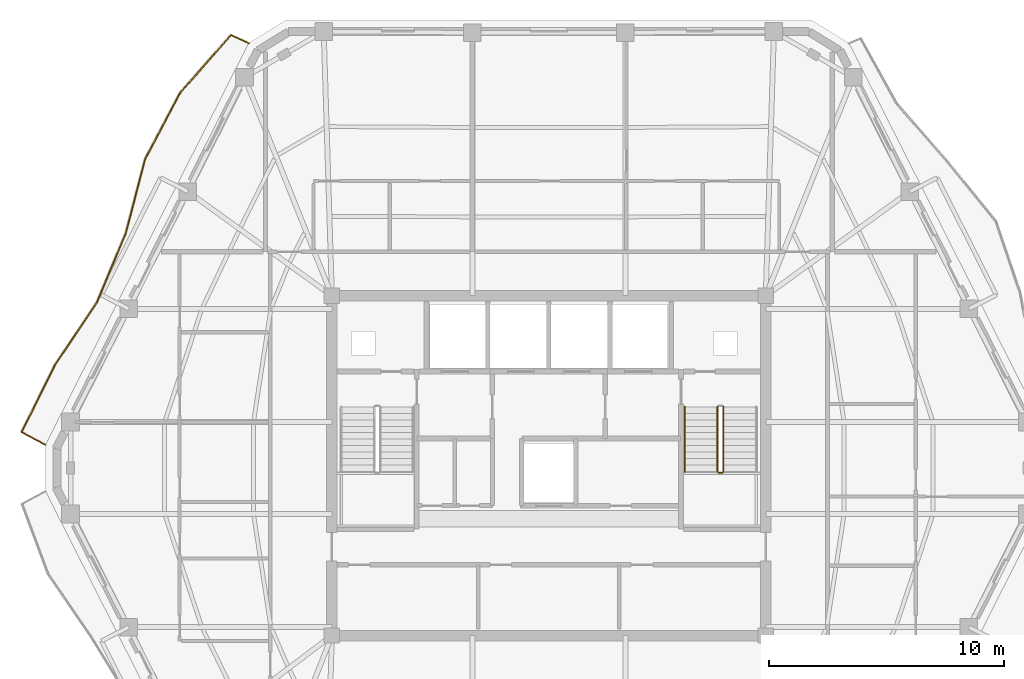
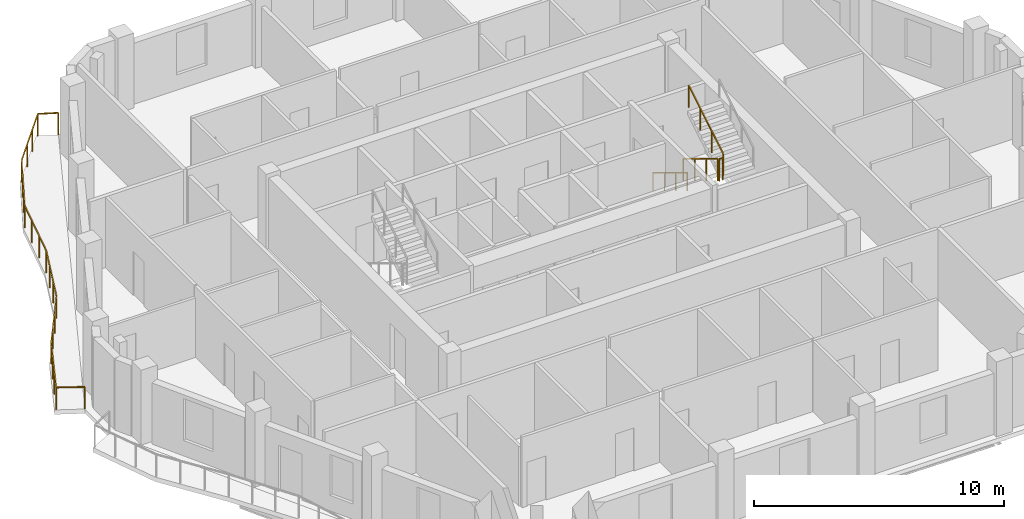
# One storey, part 10 of 12: 5 railings.
"""IFC4 building model written with IfcOpenShell, lengths in metres."""

from ifc_helpers import new_model, si_unit, direction, frame, origin, origin_2d, place, context, subcontext, project, spatial, rectangle, extrude, material, type_object, element, save


model = new_model("IFC4")

# Units and contexts
model_context = context("Model", 3, precision=1e-05, world=origin(), true_north=direction((0.0, 1.0)))
body_context = subcontext(model_context, "Body", "Model", "MODEL_VIEW")
ifc_project = project(units=[si_unit("LENGTHUNIT", "METRE"), si_unit("AREAUNIT", "SQUARE_METRE"), si_unit("VOLUMEUNIT", "CUBIC_METRE"), si_unit("PLANEANGLEUNIT", "RADIAN"), si_unit("MASSUNIT", "GRAM", prefix="KILO")], contexts=[model_context])

# Site, building, storey
site_placement = place(None, origin())
site = spatial("IfcSite", under=ifc_project, at=site_placement, CompositionType="ELEMENT")
building_placement = place(site_placement, origin())
building = spatial("IfcBuilding", under=site, at=building_placement, Name="Cinnabar Lancet Tower", CompositionType="ELEMENT")
storey_placement = place(building_placement, frame((0.0, 0.0, 237.949951171875)))
storey = spatial("IfcBuildingStorey", under=building, at=storey_placement, Name="L63", CompositionType="ELEMENT", Elevation=237.949951171875)

# Railings
ifc_material_1 = material(Name="Laminated safety glass and bronze stainless steel balustrade", Category="steel")
railing_type_1 = type_object("IfcRailingType", Name="ENV-RLG-BAL-1100", PredefinedType="BALUSTRADE", material=ifc_material_1)
railing_1_placement = place(storey_placement, frame((19.638916015625, 43.867919921875, 0.0)))
element("IfcRailing", 1, at=railing_1_placement, inside=storey, type_object=railing_type_1, Name="L63 Face 5 Wave Balcony Balustrade", PredefinedType="BALUSTRADE", context=body_context, shape_type="SweptSolid", body=[
    extrude(rectangle(XDim=0.048095703125, YDim=0.048095703125, at=origin_2d()), frame((0.0, 0.0, 1.076171875), z_axis=(-0.90895271953, 0.416899212831, 0.0), x_axis=(-0.416899212831, -0.90895271953, 0.0)), (0.0, 0.0, 1.0), 0.8251953125),
    extrude(rectangle(XDim=0.048095703125, YDim=0.048095703125, at=origin_2d()), frame((-0.75, 0.343994140625, 1.076171875), z_axis=(-0.660463788362, -0.750857898848, 0.0), x_axis=(0.750857898848, -0.660463788362, 0.0)), (0.0, 0.0, 1.0), 3.286865234375),
    extrude(rectangle(XDim=0.048095703125, YDim=0.048095703125, at=origin_2d()), frame((-2.9208984375, -2.1240234375, 1.076171875), z_axis=(-0.466988621905, -0.884263324475, 0.0), x_axis=(0.884263324475, -0.466988621905, 0.0)), (0.0, 0.0, 1.0), 3.182373046875),
    extrude(rectangle(XDim=0.048095703125, YDim=0.048095703125, at=origin_2d()), frame((-4.406982421875, -4.93798828125, 1.076171875), z_axis=(-0.251878344835, -0.967758905618, 0.0), x_axis=(0.967758905618, -0.251878344835, 0.0)), (0.0, 0.0, 1.0), 3.2548828125),
    extrude(rectangle(XDim=0.048095703125, YDim=0.048095703125, at=origin_2d()), frame((-5.226806640625, -8.087890625, 1.076171875), z_axis=(-0.385077391249, -0.922884284593, 0.0), x_axis=(0.922884284593, -0.385077391249, 0.0)), (0.0, 0.0, 1.0), 3.18896484375),
    extrude(rectangle(XDim=0.048095703125, YDim=0.048095703125, at=origin_2d()), frame((-6.454833984375, -11.031005859375, 1.076171875), z_axis=(-0.556562766759, -0.830805564893, 0.0), x_axis=(0.830805564893, -0.556562766759, 0.0)), (0.0, 0.0, 1.0), 3.203857421875),
    extrude(rectangle(XDim=0.048095703125, YDim=0.048095703125, at=origin_2d()), frame((-8.238037109375, -13.69287109375, 1.076171875), z_axis=(-0.445433431075, -0.895315061015, 0.0), x_axis=(0.895315061015, -0.445433431075, 0.0)), (0.0, 0.0, 1.0), 3.183349609375),
    extrude(rectangle(XDim=0.048095703125, YDim=0.048095703125, at=origin_2d()), frame((-9.656005859375, -16.54296875, 1.076171875), z_axis=(0.881599833203, -0.471997599673, 0.0), x_axis=(0.471997599673, 0.881599833203, 0.0)), (0.0, 0.0, 1.0), 1.150390625),
    extrude(rectangle(XDim=0.0419921875, YDim=0.0419921875, at=origin_2d()), origin(), (0.0, 0.0, 1.0), 1.052001953125),
    extrude(rectangle(XDim=0.0419921875, YDim=0.0419921875, at=origin_2d()), frame((-0.75, 0.343994140625, 0.0)), (0.0, 0.0, 1.0), 1.052001953125),
    extrude(rectangle(XDim=0.0419921875, YDim=0.0419921875, at=origin_2d()), frame((-1.4736328125, -0.478759765625, 0.0)), (0.0, 0.0, 1.0), 1.052001953125),
    extrude(rectangle(XDim=0.0419921875, YDim=0.0419921875, at=origin_2d()), frame((-2.197265625, -1.30126953125, 0.0)), (0.0, 0.0, 1.0), 1.052001953125),
    extrude(rectangle(XDim=0.0419921875, YDim=0.0419921875, at=origin_2d()), frame((-2.9208984375, -2.1240234375, 0.0)), (0.0, 0.0, 1.0), 1.052001953125),
    extrude(rectangle(XDim=0.0419921875, YDim=0.0419921875, at=origin_2d()), frame((-3.416259765625, -3.06201171875, 0.0)), (0.0, 0.0, 1.0), 1.052001953125),
    extrude(rectangle(XDim=0.0419921875, YDim=0.0419921875, at=origin_2d()), frame((-3.91162109375, -4.0, 0.0)), (0.0, 0.0, 1.0), 1.052001953125),
    extrude(rectangle(XDim=0.0419921875, YDim=0.0419921875, at=origin_2d()), frame((-4.406982421875, -4.93798828125, 0.0)), (0.0, 0.0, 1.0), 1.052001953125),
    extrude(rectangle(XDim=0.0419921875, YDim=0.0419921875, at=origin_2d()), frame((-4.68017578125, -5.988037109375, 0.0)), (0.0, 0.0, 1.0), 1.052001953125),
    extrude(rectangle(XDim=0.0419921875, YDim=0.0419921875, at=origin_2d()), frame((-4.95361328125, -7.037841796875, 0.0)), (0.0, 0.0, 1.0), 1.052001953125),
    extrude(rectangle(XDim=0.0419921875, YDim=0.0419921875, at=origin_2d()), frame((-5.226806640625, -8.087890625, 0.0)), (0.0, 0.0, 1.0), 1.052001953125),
    extrude(rectangle(XDim=0.0419921875, YDim=0.0419921875, at=origin_2d()), frame((-5.63623046875, -9.06884765625, 0.0)), (0.0, 0.0, 1.0), 1.052001953125),
    extrude(rectangle(XDim=0.0419921875, YDim=0.0419921875, at=origin_2d()), frame((-6.04541015625, -10.050048828125, 0.0)), (0.0, 0.0, 1.0), 1.052001953125),
    extrude(rectangle(XDim=0.0419921875, YDim=0.0419921875, at=origin_2d()), frame((-6.454833984375, -11.031005859375, 0.0)), (0.0, 0.0, 1.0), 1.052001953125),
    extrude(rectangle(XDim=0.0419921875, YDim=0.0419921875, at=origin_2d()), frame((-7.04931640625, -11.918212890625, 0.0)), (0.0, 0.0, 1.0), 1.052001953125),
    extrude(rectangle(XDim=0.0419921875, YDim=0.0419921875, at=origin_2d()), frame((-7.6435546875, -12.8056640625, 0.0)), (0.0, 0.0, 1.0), 1.052001953125),
    extrude(rectangle(XDim=0.0419921875, YDim=0.0419921875, at=origin_2d()), frame((-8.238037109375, -13.69287109375, 0.0)), (0.0, 0.0, 1.0), 1.052001953125),
    extrude(rectangle(XDim=0.0419921875, YDim=0.0419921875, at=origin_2d()), frame((-8.710693359375, -14.642822265625, 0.0)), (0.0, 0.0, 1.0), 1.052001953125),
    extrude(rectangle(XDim=0.0419921875, YDim=0.0419921875, at=origin_2d()), frame((-9.183349609375, -15.593017578125, 0.0)), (0.0, 0.0, 1.0), 1.052001953125),
    extrude(rectangle(XDim=0.0419921875, YDim=0.0419921875, at=origin_2d()), frame((-9.656005859375, -16.54296875, 0.0)), (0.0, 0.0, 1.0), 1.052001953125),
    extrude(rectangle(XDim=0.0419921875, YDim=0.0419921875, at=origin_2d()), frame((-8.641845703125, -17.0859375, 0.0)), (0.0, 0.0, 1.0), 1.052001953125),
])
ifc_material_2 = material(Name="Painted galvanized steel balustrade", Category="steel")
railing_type_2 = type_object("IfcRailingType", Name="GUARD-STAIR", PredefinedType="GUARDRAIL", material=ifc_material_2)
railing_2_placement = place(storey_placement, frame((39.574951171875, 28.39990234375, 0.166015625)))
element("IfcRailing", 2, at=railing_2_placement, inside=storey, type_object=railing_type_2, Name="L63 ST-2 stair guard 1", PredefinedType="GUARDRAIL", context=body_context, shape_type="SweptSolid", body=[
    extrude(rectangle(XDim=0.048095703125, YDim=0.048095703125, at=origin_2d()), frame((0.0, 0.0, 1.076171875), z_axis=(0.0, -0.856263023582, 0.516540060834), x_axis=(1.0, 0.0, 0.0)), (0.0, 0.0, 1.0), 3.211669921875),
    extrude(rectangle(XDim=0.0419921875, YDim=0.0419921875, at=origin_2d()), origin(), (0.0, 0.0, 1.0), 1.052001953125),
    extrude(rectangle(XDim=0.0419921875, YDim=0.0419921875, at=origin_2d()), frame((0.0, -0.916748046875, 0.552978515625)), (0.0, 0.0, 1.0), 1.052001953125),
    extrude(rectangle(XDim=0.0419921875, YDim=0.0419921875, at=origin_2d()), frame((0.0, -1.833251953125, 1.10595703125)), (0.0, 0.0, 1.0), 1.052001953125),
    extrude(rectangle(XDim=0.0419921875, YDim=0.0419921875, at=origin_2d()), frame((0.0, -2.75, 1.658935546875)), (0.0, 0.0, 1.0), 1.052001953125),
])
railing_3_placement = place(storey_placement, frame((39.625, 25.60009765625, 1.824951171875)))
element("IfcRailing", 3, at=railing_3_placement, inside=storey, type_object=railing_type_2, Name="L63 ST-2 stair guard 2", PredefinedType="GUARDRAIL", context=body_context, shape_type="SweptSolid", body=[
    extrude(rectangle(XDim=0.048095703125, YDim=0.048095703125, at=origin_2d()), frame((0.0, 0.0, 1.076171875), z_axis=(1.0, 0.0, 0.0), x_axis=(0.0, 1.0, 0.0)), (0.0, 0.0, 1.0), 0.14990234375),
    extrude(rectangle(XDim=0.0419921875, YDim=0.0419921875, at=origin_2d()), origin(), (0.0, 0.0, 1.0), 1.052001953125),
    extrude(rectangle(XDim=0.0419921875, YDim=0.0419921875, at=origin_2d()), frame((0.14990234375, 0.0, 0.0)), (0.0, 0.0, 1.0), 1.052001953125),
])
railing_4_placement = place(storey_placement, frame((39.824951171875, 25.64990234375, 1.990966796875)))
element("IfcRailing", 4, at=railing_4_placement, inside=storey, type_object=railing_type_2, Name="L63 ST-2 stair guard 3", PredefinedType="GUARDRAIL", context=body_context, shape_type="SweptSolid", body=[
    extrude(rectangle(XDim=0.048095703125, YDim=0.048095703125, at=origin_2d()), frame((0.0, 0.0, 1.076171875), z_axis=(0.0, 0.856229400918, 0.51659579267), x_axis=(-1.0, 0.0, 0.0)), (0.0, 0.0, 1.0), 3.211669921875),
    extrude(rectangle(XDim=0.0419921875, YDim=0.0419921875, at=origin_2d()), origin(), (0.0, 0.0, 1.0), 1.052001953125),
    extrude(rectangle(XDim=0.0419921875, YDim=0.0419921875, at=origin_2d()), frame((0.0, 0.916748046875, 0.552978515625)), (0.0, 0.0, 1.0), 1.052001953125),
    extrude(rectangle(XDim=0.0419921875, YDim=0.0419921875, at=origin_2d()), frame((0.0, 1.833251953125, 1.106201171875)), (0.0, 0.0, 1.0), 1.052001953125),
    extrude(rectangle(XDim=0.0419921875, YDim=0.0419921875, at=origin_2d()), frame((0.0, 2.75, 1.6591796875)), (0.0, 0.0, 1.0), 1.052001953125),
])
ifc_material_3 = material(Name="Brushed stainless steel handrail", Category="steel")
railing_type_3 = type_object("IfcRailingType", Name="HANDRAIL-STAIR", PredefinedType="HANDRAIL", material=ifc_material_3)
railing_5_placement = place(storey_placement, frame((38.175048828125, 28.39990234375, 0.166015625)))
element("IfcRailing", 5, at=railing_5_placement, inside=storey, type_object=railing_type_3, Name="L63 ST-2 stair handrail 1", PredefinedType="HANDRAIL", context=body_context, shape_type="SweptSolid", body=[
    extrude(rectangle(XDim=0.048095703125, YDim=0.048095703125, at=origin_2d()), frame((0.0, 0.0, 0.8759765625), z_axis=(0.0, -0.856263023582, 0.516540060834), x_axis=(1.0, 0.0, 0.0)), (0.0, 0.0, 1.0), 3.211669921875),
    extrude(rectangle(XDim=0.0419921875, YDim=0.0419921875, at=origin_2d()), origin(), (0.0, 0.0, 1.0), 0.851806640625),
    extrude(rectangle(XDim=0.0419921875, YDim=0.0419921875, at=origin_2d()), frame((0.0, -0.916748046875, 0.552978515625)), (0.0, 0.0, 1.0), 0.851806640625),
    extrude(rectangle(XDim=0.0419921875, YDim=0.0419921875, at=origin_2d()), frame((0.0, -1.833251953125, 1.10595703125)), (0.0, 0.0, 1.0), 0.851806640625),
    extrude(rectangle(XDim=0.0419921875, YDim=0.0419921875, at=origin_2d()), frame((0.0, -2.75, 1.658935546875)), (0.0, 0.0, 1.0), 0.851806640625),
])

save(model, "model.ifc")
